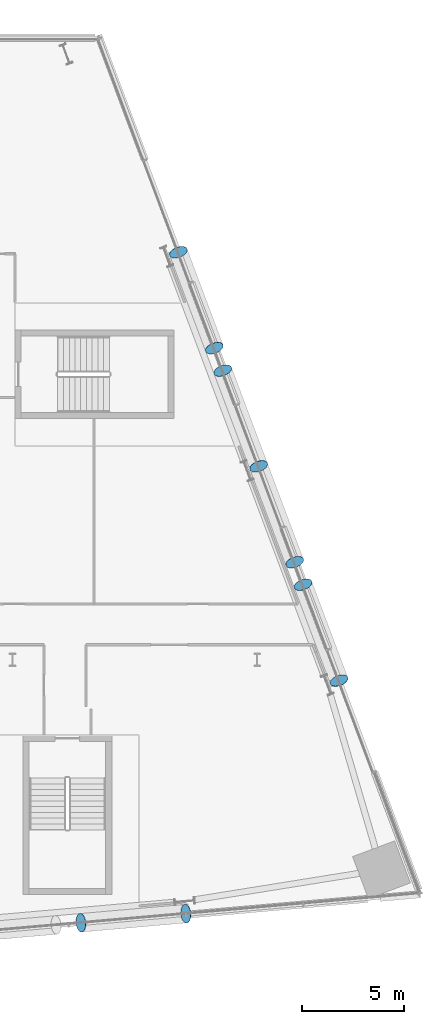
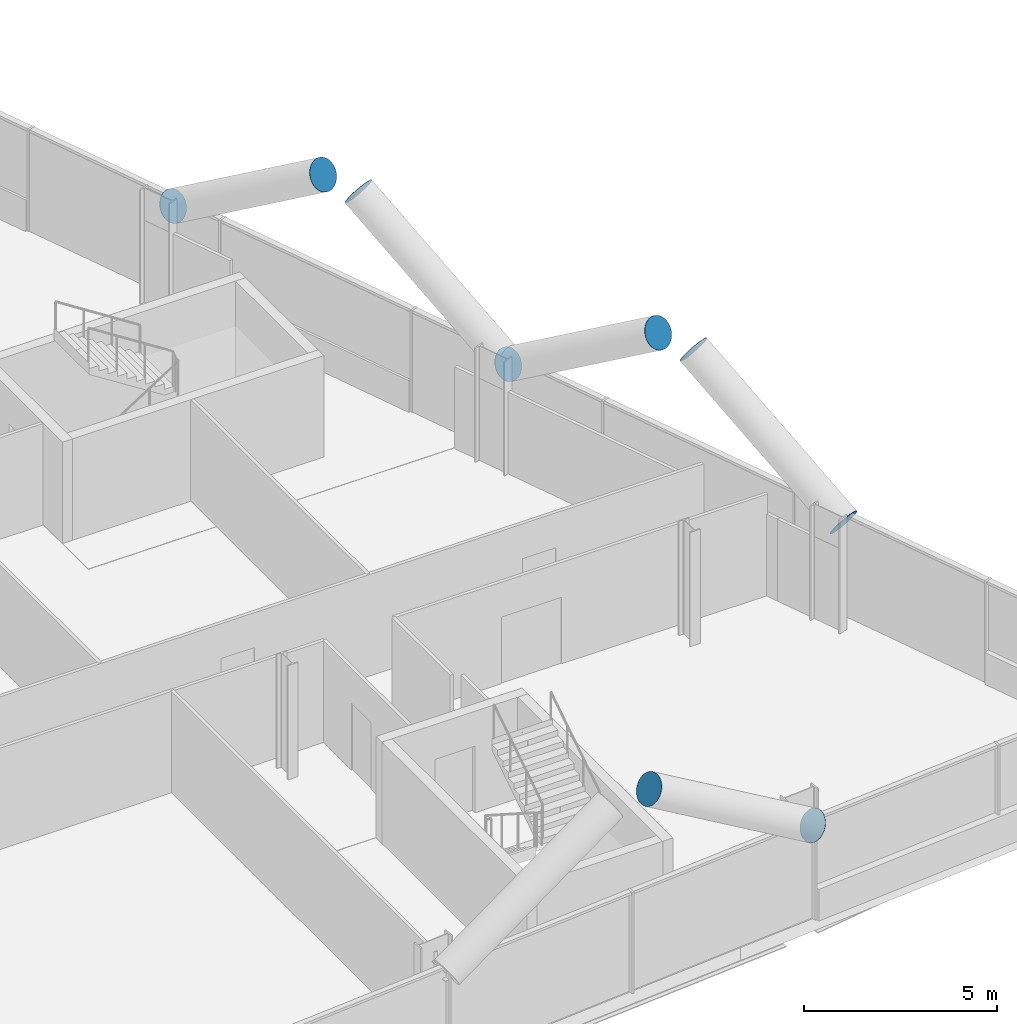
# One storey, part 23 of 27: 9 discrete accessories.
"""IFC4 building model written with IfcOpenShell, lengths in metres."""

import ifcopenshell
import ifcopenshell.guid

model = None  # the IFC model being written
_history = None  # IfcOwnerHistory: only IFC2X3 demands one
_inside = {}  # id of a spatial element -> (the spatial element, [elements in it])
_under = {}  # id of a project, library or spatial element -> (it, [spatial elements below it])
_declared = {}  # id of a project -> (the project, [libraries it declares])
_typed = {}  # id of a type object -> (the type object, [elements of that type])
_made_of = {}  # id of a material, layer set ... -> (it, [elements and type objects made of it])


def new_model(schema):
    """Start an empty IFC model of exactly this schema.

    Asked for "IFC4X3", IfcOpenShell would pick the latest addendum, in which some entities
    have other attributes; the version numbers below select the first issue.
    IFC2X3 requires an IfcOwnerHistory on every rooted entity: one is made here for all.
    """
    global model, _history
    if schema == "IFC4X3":
        model = ifcopenshell.file(schema_version=(4, 3, 0, 0))
    else:
        model = ifcopenshell.file(schema=schema)
    _inside.clear()
    _under.clear()
    _declared.clear()
    _typed.clear()
    _made_of.clear()
    _history = None
    if model.schema == "IFC2X3":
        org = make("IfcOrganization", Name="unknown")
        user = make(
            "IfcPersonAndOrganization",
            ThePerson=make("IfcPerson", FamilyName="unknown"),
            TheOrganization=org,
        )
        app = make(
            "IfcApplication",
            ApplicationDeveloper=org,
            Version="unknown",
            ApplicationFullName="unknown",
            ApplicationIdentifier="unknown",
        )
        _history = make(
            "IfcOwnerHistory",
            OwningUser=user,
            OwningApplication=app,
            ChangeAction="ADDED",
            CreationDate=0,
        )
    return model


def make(cls, **values):
    """One entity of the class cls with the attributes given. An attribute that is None is left unset."""
    return model.create_entity(
        cls, **{name: value for name, value in values.items() if value is not None}
    )


def rooted(cls, **values):
    """An entity with a GlobalId (a new one), such as an element, a storey or a relation."""
    return make(cls, GlobalId=ifcopenshell.guid.new(), OwnerHistory=_history, **values)


def si_unit(unit_type, name, prefix=None):
    """IfcSIUnit, for example si_unit("LENGTHUNIT", "METRE", prefix="MILLI")."""
    return make("IfcSIUnit", UnitType=unit_type, Prefix=prefix, Name=name)


def assignment(units):
    """IfcUnitAssignment: the units of a project."""
    return None if units is None else make("IfcUnitAssignment", Units=units)


def point(xyz):
    """IfcCartesianPoint."""
    return None if xyz is None else make("IfcCartesianPoint", Coordinates=xyz)


def direction(xyz):
    """IfcDirection."""
    return None if xyz is None else make("IfcDirection", DirectionRatios=xyz)


def frame(location, z_axis=None, x_axis=None):
    """IfcAxis2Placement3D, a coordinate frame: its origin and axes. An axis left out is left unset."""
    return make(
        "IfcAxis2Placement3D",
        Location=point(location),
        Axis=direction(z_axis),
        RefDirection=direction(x_axis),
    )


def frame_2d(location, x_axis=None):
    """IfcAxis2Placement2D, a coordinate frame in the plane: its origin and x axis."""
    return make(
        "IfcAxis2Placement2D", Location=point(location), RefDirection=direction(x_axis)
    )


def origin():
    """The frame at (0, 0, 0) with its axes left unset."""
    return frame((0.0, 0.0, 0.0))


def origin_2d():
    """The frame at (0, 0) in the plane with its x axis left unset."""
    return frame_2d((0.0, 0.0))


def place(relative_to, where):
    """IfcLocalPlacement: puts the frame where relative to a parent placement (None: the world)."""
    return make(
        "IfcLocalPlacement", PlacementRelTo=relative_to, RelativePlacement=where
    )


def context(
    kind, dimensions, precision=None, world=None, true_north=None, identifier=None
):
    """IfcGeometricRepresentationContext, for example the 3D "Model" context."""
    return make(
        "IfcGeometricRepresentationContext",
        ContextIdentifier=identifier,
        ContextType=kind,
        CoordinateSpaceDimension=dimensions,
        Precision=precision,
        WorldCoordinateSystem=world,
        TrueNorth=true_north,
    )


def subcontext(parent, identifier, kind, view, scale=None):
    """IfcGeometricRepresentationSubContext, for example "Body" below "Model"."""
    return make(
        "IfcGeometricRepresentationSubContext",
        ContextIdentifier=identifier,
        ContextType=kind,
        ParentContext=parent,
        TargetScale=scale,
        TargetView=view,
    )


def project(units=None, contexts=None):
    """IfcProject with its units and contexts."""
    return rooted(
        "IfcProject",
        Name="project",
        RepresentationContexts=contexts,
        UnitsInContext=assignment(units),
    )


def spatial(cls, under=None, at=None, **own):
    """A site, building, storey or space (cls), placed at a placement, below another one or the project."""
    s = rooted(cls, ObjectPlacement=at, **own)
    if under is not None:
        _under.setdefault(under.id(), (under, []))[1].append(s)
    return s


def profile(cls, at=None, kind="AREA", **sizes):
    """A parametric profile (cls). Its sizes go by their IFC names, for example OverallWidth=200.0."""
    return make(cls, ProfileType=kind, Position=at, **sizes)


def circle(**sizes):
    """IfcCircleProfileDef."""
    return profile("IfcCircleProfileDef", **sizes)


def extrude(swept, where, along, depth):
    """IfcExtrudedAreaSolid: the profile swept, set in the frame where, extruded along a direction by depth."""
    return make(
        "IfcExtrudedAreaSolid",
        SweptArea=swept,
        Position=where,
        ExtrudedDirection=direction(along),
        Depth=depth,
    )


def shape(context_of_items, identifier, shape_type, items):
    """IfcShapeRepresentation: the items that make up one representation, for example the "Body"."""
    return make(
        "IfcShapeRepresentation",
        ContextOfItems=context_of_items,
        RepresentationIdentifier=identifier,
        RepresentationType=shape_type,
        Items=items,
    )


def material(Name=None, Category=None):
    """IfcMaterial."""
    return make("IfcMaterial", Name=Name, Category=Category)


def material_profile(
    of_material, cross_section, Name=None, Category=None, Priority=None
):
    """IfcMaterialProfile: a cross section and its material."""
    return make(
        "IfcMaterialProfile",
        Name=Name,
        Material=of_material,
        Profile=cross_section,
        Priority=Priority,
        Category=Category,
    )


def profile_set(profiles, Name=None, composite=None):
    """IfcMaterialProfileSet."""
    return make(
        "IfcMaterialProfileSet",
        Name=Name,
        MaterialProfiles=profiles,
        CompositeProfile=composite,
    )


def made_of(thing, what):
    """Note that an element or type object is made of a material, layer set ...; save() writes the relation."""
    if what is not None:
        _made_of.setdefault(what.id(), (what, []))[1].append(thing)
    return thing


def type_object(cls, material=None, **own):
    """A type object (cls), such as IfcWallType, which elements share."""
    return made_of(rooted(cls, **own), material)


def element(
    cls,
    number,
    at=None,
    inside=None,
    cuts=None,
    type_object=None,
    material=None,
    context=None,
    identifier="Body",
    shape_type=None,
    held_by="IfcProductDefinitionShape",
    body=None,
    shapes=None,
    **own,
):
    """One element of the class cls, such as IfcWall. Its Tag is "e" and its number.

    at: its placement. inside: the storey or other place that contains it. cuts: it is an
    opening in that element (IfcRelVoidsElement). A single representation is given by context,
    identifier, shape_type and body (its items); several are given by shapes. held_by: the class
    of the entity that holds the representations. save() writes the other relations.
    """
    e = rooted(cls, Tag="e%d" % number, ObjectPlacement=at, **own)
    if body is not None:
        shapes = [shape(context, identifier, shape_type, body)]
    if shapes is not None:
        e.Representation = make(held_by, Representations=shapes)
    if inside is not None:
        _inside.setdefault(inside.id(), (inside, []))[1].append(e)
    if cuts is not None:
        rooted(
            "IfcRelVoidsElement", RelatingBuildingElement=cuts, RelatedOpeningElement=e
        )
    if type_object is not None:
        _typed.setdefault(type_object.id(), (type_object, []))[1].append(e)
    return made_of(e, material)


def aggregate(whole, parts):
    """IfcRelAggregates: a whole, such as a stair, and the parts it consists of."""
    return rooted("IfcRelAggregates", RelatingObject=whole, RelatedObjects=parts)


def save(model, path):
    """Write the relations noted so far, then the file.

    IfcRelAggregates (storeys below a building ...), IfcRelContainedInSpatialStructure (elements
    in a storey), IfcRelDefinesByType, IfcRelAssociatesMaterial and IfcRelDeclares: one each for
    every whole, place, type object, material and project.
    """
    for whole, parts in _under.values():
        aggregate(whole, parts)
    for where, things in _inside.values():
        rooted(
            "IfcRelContainedInSpatialStructure",
            RelatedElements=things,
            RelatingStructure=where,
        )
    for kind, things in _typed.values():
        rooted("IfcRelDefinesByType", RelatedObjects=things, RelatingType=kind)
    for what, things in _made_of.values():
        rooted("IfcRelAssociatesMaterial", RelatedObjects=things, RelatingMaterial=what)
    for by, libraries in _declared.values():
        rooted("IfcRelDeclares", RelatingContext=by, RelatedDefinitions=libraries)
    model.write(path)


model = new_model("IFC4")

# Units and contexts
model_context = context("Model", 3, precision=1e-05, world=origin(), true_north=direction((0.0, 1.0)))
body_context = subcontext(model_context, "Body", "Model", "MODEL_VIEW")
ifc_project = project(units=[si_unit("LENGTHUNIT", "METRE"), si_unit("AREAUNIT", "SQUARE_METRE"), si_unit("VOLUMEUNIT", "CUBIC_METRE"), si_unit("PLANEANGLEUNIT", "RADIAN"), si_unit("MASSUNIT", "GRAM", prefix="KILO")], contexts=[model_context])

# Site, building, storey
site_placement = place(None, origin())
site = spatial("IfcSite", under=ifc_project, at=site_placement, CompositionType="ELEMENT")
building_placement = place(site_placement, origin())
building = spatial("IfcBuilding", under=site, at=building_placement, Name="Wharfspan Tower", CompositionType="ELEMENT")
storey_placement = place(building_placement, frame((0.0, 0.0, 45.100098)))
storey = spatial("IfcBuildingStorey", under=building, at=storey_placement, Name="L07", CompositionType="ELEMENT", Elevation=45.100098)

# Discrete accessories
ifc_material = material(Name="Steel S460NH", Category="steel")
ifc_material_profile = material_profile(ifc_material, circle(Radius=0.457031, at=origin_2d()))
ifc_profile_set = profile_set([ifc_material_profile], Name="Steel S460NH")
discrete_accessory_type = type_object("IfcDiscreteAccessoryType", Name="End plate CHS 914x40", PredefinedType="BRACKET", material=ifc_profile_set)
for number, where, z_axis, x_axis, name in (
    (1, (80.503662, -0.950684, 2.894531), (-0.844416, -0.072379, 0.530776), (0.085402, -0.99635, 0.0), "End plate CHS 914x40"),
    (2, (75.361328, -1.400391, 6.114258), (-0.855186, -0.073302, 0.513112), (0.085402, -0.996345, 1e-06), "End plate CHS 914x40"),
    (3, (88.013916, 10.4729, 2.894531), (-0.295241, 0.787309, 0.541275), (-0.936333, -0.351125, 0.0), "End plate CHS 914x40"),
    (4, (86.251465, 15.172852, 6.117432), (-0.295241, 0.787309, 0.541275), (-0.936333, -0.351125, 0.0), "End plate CHS 914x40"),
    (5, (84.070557, 20.988525, 2.894531), (0.295241, -0.787309, 0.541275), (0.936333, 0.351125, 0.0), "End plate CHS 914x40"),
    (6, (85.833008, 16.288574, 6.117432), (0.295241, -0.787309, 0.541275), (0.936333, 0.351125, 0.0), "End plate CHS 914x40"),
    (7, (82.313965, 25.672852, 6.117432), (-0.295241, 0.787309, 0.541275), (-0.936333, -0.351125, 0.0), "End plate CHS 914x40"),
    (8, (80.133057, 31.488525, 2.894531), (0.295241, -0.787309, 0.541275), (0.936333, 0.351125, 0.0), "End plate CHS 914x40"),
    (9, (81.895508, 26.788574, 6.117432), (0.295241, -0.787309, 0.541275), (0.936333, 0.351125, 0.0), "End plate CHS 914x40"),
):
    element("IfcDiscreteAccessory", number, at=place(storey_placement, frame(where, z_axis=z_axis, x_axis=x_axis)), inside=storey, type_object=discrete_accessory_type, Name=name, PredefinedType="BRACKET", context=body_context, shape_type="SweptSolid", body=[
        extrude(circle(Radius=0.457031, at=origin_2d()), origin(), (0.0, 0.0, 1.0), 0.01001),
    ])

save(model, "model.ifc")
